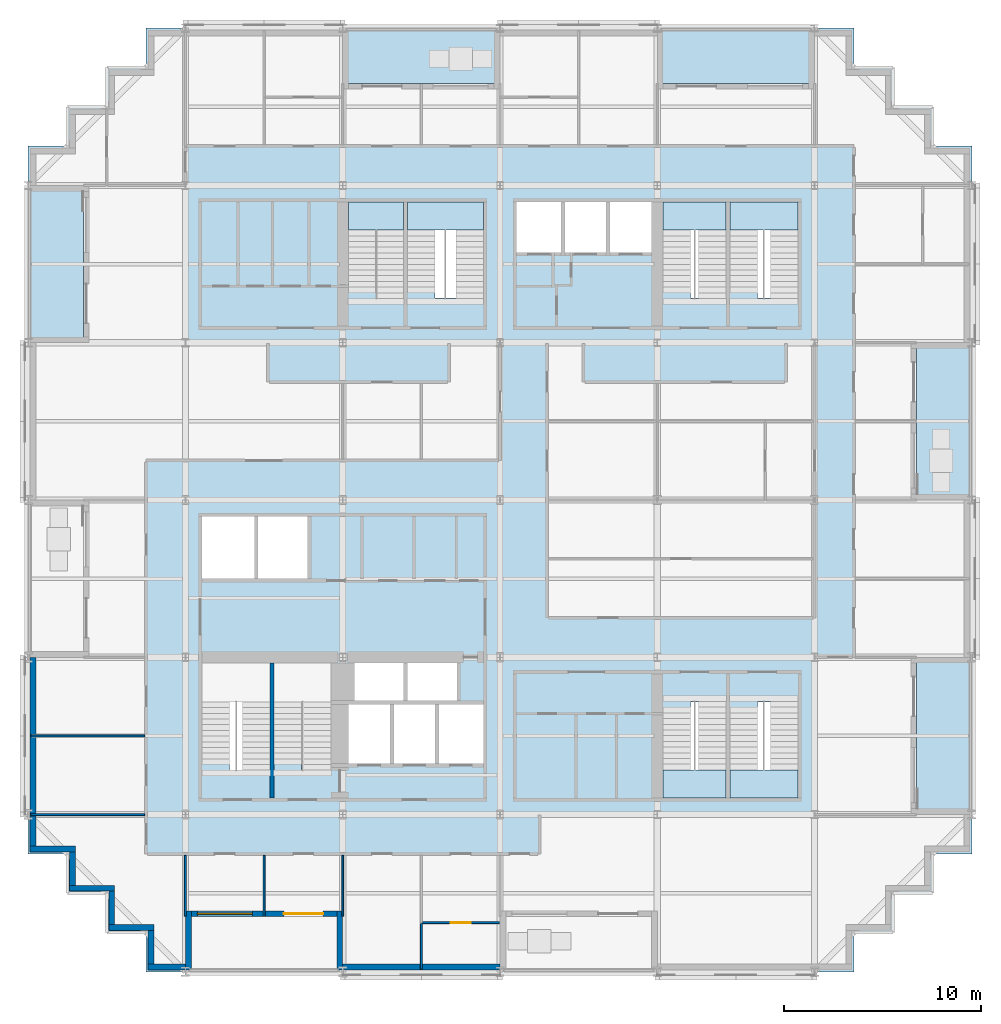
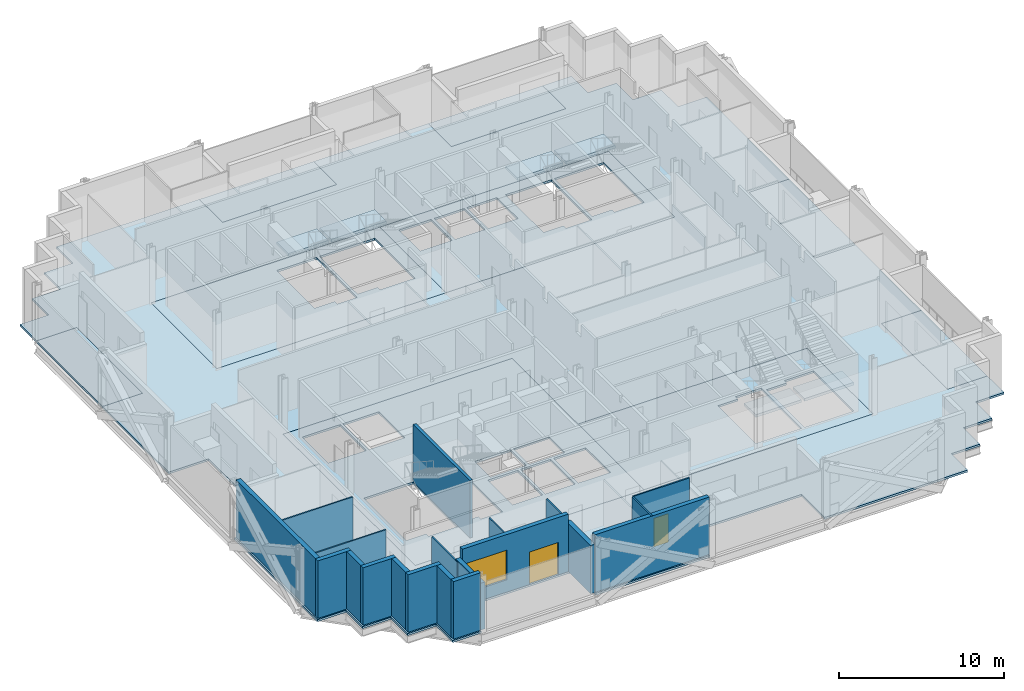
# One storey, part 4 of 15: 20 walls, 16 slabs, 2 doors, 1 window, 3 openings, 6 elements without a shape of their own.
"""IFC4 building model written with IfcOpenShell, lengths in metres."""

from ifc_helpers import new_model, si_unit, direction, frame, frame_2d, origin, place, context, subcontext, project, spatial, polyline, rectangle, outline, extrude, material, layer, layer_set, type_object, element, fill, aggregate, save


model = new_model("IFC4")

# Units and contexts
model_context = context("Model", 3, precision=1e-05, world=origin(), true_north=direction((0.0, 1.0)))
body_context = subcontext(model_context, "Body", "Model", "MODEL_VIEW")
ifc_project = project(units=[si_unit("LENGTHUNIT", "METRE"), si_unit("AREAUNIT", "SQUARE_METRE"), si_unit("VOLUMEUNIT", "CUBIC_METRE"), si_unit("PLANEANGLEUNIT", "RADIAN"), si_unit("MASSUNIT", "GRAM", prefix="KILO")], contexts=[model_context])

# Site, building, storey
site_placement = place(None, origin())
site = spatial("IfcSite", under=ifc_project, at=site_placement, CompositionType="ELEMENT")
building_placement = place(site_placement, origin())
building = spatial("IfcBuilding", under=site, at=building_placement, Name="Immortelle Media Tower", CompositionType="ELEMENT")
storey_placement = place(building_placement, frame((0.0, 0.0, 61.199951171875)))
storey = spatial("IfcBuildingStorey", under=building, at=storey_placement, Name="L10", CompositionType="ELEMENT", Elevation=61.199951171875)

# Slabs
ifc_material_1 = material(Name="Concrete C50/60 composite deck", Category="concrete")
ifc_layer_1 = layer(ifc_material_1, 0.14990234375)
ifc_layer_set_1 = layer_set([ifc_layer_1], Name="Concrete C50/60 composite deck")
slab_type_1 = type_object("IfcSlabType", Name="Balcony slab 150", PredefinedType="FLOOR", material=ifc_layer_set_1)
slab_1_placement = place(storey_placement, frame((0.0, 0.0, -0.14990234375)))
element("IfcSlab", 1, at=slab_1_placement, inside=storey, type_object=slab_type_1, Name="Balcony slab L10 W0", PredefinedType="FLOOR", context=body_context, shape_type="SweptSolid", body=[
    extrude(outline(polyline([(2.800048828125, 32.0), (2.800048828125, 40.0), (0.0, 40.0), (0.0, 32.0), (2.800048828125, 32.0)])), origin(), (0.0, 0.0, 1.0), 0.14990234375),
])
slab_2_placement = place(storey_placement, frame((0.0, 0.0, -0.14990234375)))
element("IfcSlab", 2, at=slab_2_placement, inside=storey, type_object=slab_type_1, Name="Balcony slab L10 E0", PredefinedType="FLOOR", context=body_context, shape_type="SweptSolid", body=[
    extrude(outline(polyline([(48.0, 8.0), (48.0, 16.0), (45.199951171875, 16.0), (45.199951171875, 8.0), (48.0, 8.0)])), origin(), (0.0, 0.0, 1.0), 0.14990234375),
])
slab_3_placement = place(storey_placement, frame((0.0, 0.0, -0.14990234375)))
element("IfcSlab", 3, at=slab_3_placement, inside=storey, type_object=slab_type_1, Name="Balcony slab L10 E2", PredefinedType="FLOOR", context=body_context, shape_type="SweptSolid", body=[
    extrude(outline(polyline([(48.0, 24.0), (48.0, 32.0), (45.199951171875, 32.0), (45.199951171875, 24.0), (48.0, 24.0)])), origin(), (0.0, 0.0, 1.0), 0.14990234375),
])
slab_4_placement = place(storey_placement, frame((0.0, 0.0, -0.14990234375)))
element("IfcSlab", 4, at=slab_4_placement, inside=storey, type_object=slab_type_1, Name="Balcony slab L10 N0", PredefinedType="FLOOR", context=body_context, shape_type="SweptSolid", body=[
    extrude(outline(polyline([(40.0, 45.199951171875), (40.0, 48.0), (32.0, 48.0), (32.0, 45.199951171875), (40.0, 45.199951171875)])), origin(), (0.0, 0.0, 1.0), 0.14990234375),
])
slab_5_placement = place(storey_placement, frame((0.0, 0.0, -0.14990234375)))
element("IfcSlab", 5, at=slab_5_placement, inside=storey, type_object=slab_type_1, Name="Balcony slab L10 N2", PredefinedType="FLOOR", context=body_context, shape_type="SweptSolid", body=[
    extrude(outline(polyline([(24.0, 45.199951171875), (24.0, 48.0), (16.0, 48.0), (16.0, 45.199951171875), (24.0, 45.199951171875)])), origin(), (0.0, 0.0, 1.0), 0.14990234375),
])
ifc_material_2 = material(Name="Concrete C50/60", Category="concrete")
ifc_layer_2 = layer(ifc_material_2, 0.14990234375)
ifc_layer_set_2 = layer_set([ifc_layer_2], Name="Concrete C50/60")
slab_type_2 = type_object("IfcSlabType", Name="Composite floor slab 150", PredefinedType="FLOOR", material=ifc_layer_set_2)
slab_6_placement = place(storey_placement, frame((0.0, 0.0, -0.14990234375)))
element("IfcSlab", 6, at=slab_6_placement, inside=storey, type_object=slab_type_2, Name="Floor slab L10", PredefinedType="FLOOR", context=body_context, shape_type="SweptSolid", body=[
    extrude(outline(polyline([(6.0, 0.0), (6.0, 2.0), (4.0, 2.0), (4.0, 4.0), (2.0, 4.0), (2.0, 6.0), (0.0, 6.0), (0.0, 16.0), (2.800048828125, 16.0), (2.800048828125, 24.0), (0.0, 24.0), (0.0, 32.0), (2.800048828125, 32.0), (2.800048828125, 40.0), (0.0, 40.0), (0.0, 42.0), (2.0, 42.0), (2.0, 44.0), (4.0, 44.0), (4.0, 46.0), (6.0, 46.0), (6.0, 48.0), (16.0, 48.0), (16.0, 45.199951171875), (24.0, 45.199951171875), (24.0, 48.0), (32.0, 48.0), (32.0, 45.199951171875), (40.0, 45.199951171875), (40.0, 48.0), (42.0, 48.0), (42.0, 46.0), (44.0, 46.0), (44.0, 44.0), (46.0, 44.0), (46.0, 42.0), (48.0, 42.0), (48.0, 32.0), (45.199951171875, 32.0), (45.199951171875, 24.0), (48.0, 24.0), (48.0, 16.0), (45.199951171875, 16.0), (45.199951171875, 8.0), (48.0, 8.0), (48.0, 6.0), (46.0, 6.0), (46.0, 4.0), (44.0, 4.0), (44.0, 2.0), (42.0, 2.0), (42.0, 0.0), (32.0, 0.0), (32.0, 2.800048828125), (24.0, 2.800048828125), (24.0, 0.0), (16.0, 0.0), (16.0, 2.800048828125), (8.0, 2.800048828125), (8.0, 0.0), (6.0, 0.0)]), holes=[polyline([(24.0, 24.0), (8.0, 24.0), (8.0, 8.0), (24.0, 8.0), (40.0, 8.0), (40.0, 16.0), (24.0, 16.0), (24.0, 24.0)]), polyline([(24.0, 32.0), (40.0, 32.0), (40.0, 40.0), (24.0, 40.0), (8.0, 40.0), (8.0, 32.0), (24.0, 32.0)])]), origin(), (0.0, 0.0, 1.0), 0.14990234375),
])
ifc_layer_3 = layer(ifc_material_2, 0.14990234375)
ifc_layer_set_3 = layer_set([ifc_layer_3], Name="Concrete C50/60")
slab_type_3 = type_object("IfcSlabType", Name="Core floor slab 150", PredefinedType="FLOOR", material=ifc_layer_set_3)
slab_7_placement = place(storey_placement, frame((0.0, 0.0, -0.14990234375)))
element("IfcSlab", 7, at=slab_7_placement, inside=storey, type_object=slab_type_3, Name="Core floor SW", PredefinedType="FLOOR", context=body_context, shape_type="SweptSolid", body=[
    extrude(outline(polyline([(8.0, 8.0), (24.0, 8.0), (24.0, 24.0), (8.0, 24.0), (8.0, 8.0)]), holes=[polyline([(8.85009765625, 20.0), (11.5, 20.0), (11.5, 23.14990234375), (8.85009765625, 23.14990234375), (8.85009765625, 20.0)]), polyline([(11.699951171875, 20.0), (14.199951171875, 20.0), (14.199951171875, 23.14990234375), (11.699951171875, 23.14990234375), (11.699951171875, 20.0)]), polyline([(16.60009765625, 13.800048828125), (19.10009765625, 13.800048828125), (19.10009765625, 15.699951171875), (16.60009765625, 15.699951171875), (16.60009765625, 13.800048828125)]), polyline([(19.300048828125, 13.800048828125), (21.800048828125, 13.800048828125), (21.800048828125, 15.699951171875), (19.300048828125, 15.699951171875), (19.300048828125, 13.800048828125)]), polyline([(16.300048828125, 10.60009765625), (18.39990234375, 10.60009765625), (18.39990234375, 13.60009765625), (16.300048828125, 13.60009765625), (16.300048828125, 10.60009765625)]), polyline([(18.60009765625, 10.60009765625), (20.699951171875, 10.60009765625), (20.699951171875, 13.60009765625), (18.60009765625, 13.60009765625), (18.60009765625, 10.60009765625)]), polyline([(20.89990234375, 10.60009765625), (23.14990234375, 10.60009765625), (23.14990234375, 13.60009765625), (20.89990234375, 13.60009765625), (20.89990234375, 10.60009765625)]), polyline([(8.85009765625, 15.699951171875), (12.300048828125, 15.699951171875), (12.300048828125, 10.27001953125), (10.25, 10.27001953125), (10.25, 10.56005859375), (8.85009765625, 10.56005859375), (8.85009765625, 15.699951171875)]), polyline([(12.5, 15.699951171875), (15.39990234375, 15.699951171875), (15.39990234375, 10.27001953125), (13.89990234375, 10.27001953125), (13.89990234375, 10.56005859375), (12.5, 10.56005859375), (12.5, 15.699951171875)])]), origin(), (0.0, 0.0, 1.0), 0.14990234375),
])
slab_8_placement = place(storey_placement, frame((0.0, 0.0, -0.14990234375)))
element("IfcSlab", 8, at=slab_8_placement, inside=storey, type_object=slab_type_3, Name="Core floor SE", PredefinedType="FLOOR", context=body_context, shape_type="SweptSolid", body=[
    extrude(outline(polyline([(24.0, 8.0), (40.0, 8.0), (40.0, 16.0), (24.0, 16.0), (24.0, 8.0)]), holes=[polyline([(35.5, 13.72998046875), (35.5, 8.85009765625), (32.300048828125, 8.85009765625), (32.300048828125, 13.43994140625), (33.699951171875, 13.43994140625), (33.699951171875, 13.72998046875), (35.5, 13.72998046875)]), polyline([(39.14990234375, 13.72998046875), (39.14990234375, 8.85009765625), (35.699951171875, 8.85009765625), (35.699951171875, 13.43994140625), (37.10009765625, 13.43994140625), (37.10009765625, 13.72998046875), (39.14990234375, 13.72998046875)])]), origin(), (0.0, 0.0, 1.0), 0.14990234375),
])
slab_9_placement = place(storey_placement, frame((0.0, 0.0, -0.14990234375)))
element("IfcSlab", 9, at=slab_9_placement, inside=storey, type_object=slab_type_3, Name="Core floor NW", PredefinedType="FLOOR", context=body_context, shape_type="SweptSolid", body=[
    extrude(outline(polyline([(8.0, 32.0), (24.0, 32.0), (24.0, 40.0), (8.0, 40.0), (8.0, 32.0)]), holes=[polyline([(16.300048828125, 39.14990234375), (19.10009765625, 39.14990234375), (19.10009765625, 34.27001953125), (17.699951171875, 34.27001953125), (17.699951171875, 34.56005859375), (16.300048828125, 34.56005859375), (16.300048828125, 39.14990234375)]), polyline([(19.300048828125, 39.14990234375), (23.14990234375, 39.14990234375), (23.14990234375, 34.27001953125), (20.699951171875, 34.27001953125), (20.699951171875, 34.56005859375), (19.300048828125, 34.56005859375), (19.300048828125, 39.14990234375)])]), origin(), (0.0, 0.0, 1.0), 0.14990234375),
])
slab_10_placement = place(storey_placement, frame((0.0, 0.0, -0.14990234375)))
element("IfcSlab", 10, at=slab_10_placement, inside=storey, type_object=slab_type_3, Name="Core floor NE", PredefinedType="FLOOR", context=body_context, shape_type="SweptSolid", body=[
    extrude(outline(polyline([(24.0, 32.0), (40.0, 32.0), (40.0, 40.0), (24.0, 40.0), (24.0, 32.0)]), holes=[polyline([(24.85009765625, 36.60009765625), (27.10009765625, 36.60009765625), (27.10009765625, 39.14990234375), (24.85009765625, 39.14990234375), (24.85009765625, 36.60009765625)]), polyline([(27.300048828125, 36.60009765625), (29.39990234375, 36.60009765625), (29.39990234375, 39.14990234375), (27.300048828125, 39.14990234375), (27.300048828125, 36.60009765625)]), polyline([(29.60009765625, 36.60009765625), (31.699951171875, 36.60009765625), (31.699951171875, 39.14990234375), (29.60009765625, 39.14990234375), (29.60009765625, 36.60009765625)]), polyline([(32.300048828125, 39.14990234375), (35.5, 39.14990234375), (35.5, 34.27001953125), (33.699951171875, 34.27001953125), (33.699951171875, 34.56005859375), (32.300048828125, 34.56005859375), (32.300048828125, 39.14990234375)]), polyline([(35.699951171875, 39.14990234375), (39.14990234375, 39.14990234375), (39.14990234375, 34.27001953125), (37.10009765625, 34.27001953125), (37.10009765625, 34.56005859375), (35.699951171875, 34.56005859375), (35.699951171875, 39.14990234375)])]), origin(), (0.0, 0.0, 1.0), 0.14990234375),
])

# Stair, slab
ifc_material_3 = material(Name="Steel ASTM A992 Gr 50", Category="steel")
stair_type = type_object("IfcStairType", Name="Stair with flights", PredefinedType="DOUBLE_RETURN_STAIR", material=ifc_material_3)
stair_1_placement = place(storey_placement, origin())
stair_1 = element("IfcStair", 11, at=stair_1_placement, inside=storey, type_object=stair_type, Name="Exit stair SE1", PredefinedType="DOUBLE_RETURN_STAIR")
ifc_material_4 = material(Name="Steel ASTM A572 Gr 50", Category="steel")
ifc_layer_4 = layer(ifc_material_4, 0.199951171875)
ifc_layer_set_4 = layer_set([ifc_layer_4], Name="Steel ASTM A572 Gr 50")
slab_type_4 = type_object("IfcSlabType", Name="Stair landing 200", PredefinedType="LANDING", material=ifc_layer_set_4)
slab_11_placement = place(storey_placement, frame((0.0, 0.0, 1.912109375)))
slab_11 = element("IfcSlab", 12, at=slab_11_placement, type_object=slab_type_4, Name="ST SE1 landing 1", PredefinedType="LANDING", context=body_context, shape_type="SweptSolid", body=[
    extrude(outline(polyline([(32.300048828125, 8.85009765625), (35.5, 8.85009765625), (35.5, 10.27001953125), (32.300048828125, 10.27001953125), (32.300048828125, 8.85009765625)])), origin(), (0.0, 0.0, 1.0), 0.199951171875),
])
aggregate(stair_1, [slab_11])

stair_2_placement = place(storey_placement, origin())
stair_2 = element("IfcStair", 13, at=stair_2_placement, inside=storey, type_object=stair_type, Name="Exit stair SE2", PredefinedType="DOUBLE_RETURN_STAIR")
slab_12_placement = place(storey_placement, frame((0.0, 0.0, 1.912109375)))
slab_12 = element("IfcSlab", 14, at=slab_12_placement, type_object=slab_type_4, Name="ST SE2 landing 1", PredefinedType="LANDING", context=body_context, shape_type="SweptSolid", body=[
    extrude(outline(polyline([(35.699951171875, 8.85009765625), (39.14990234375, 8.85009765625), (39.14990234375, 10.27001953125), (35.699951171875, 10.27001953125), (35.699951171875, 8.85009765625)])), origin(), (0.0, 0.0, 1.0), 0.199951171875),
])
aggregate(stair_2, [slab_12])

stair_3_placement = place(storey_placement, origin())
stair_3 = element("IfcStair", 15, at=stair_3_placement, inside=storey, type_object=stair_type, Name="Exit stair NW1", PredefinedType="DOUBLE_RETURN_STAIR")
slab_13_placement = place(storey_placement, frame((0.0, 0.0, 1.912109375)))
slab_13 = element("IfcSlab", 16, at=slab_13_placement, type_object=slab_type_4, Name="ST NW1 landing 1", PredefinedType="LANDING", context=body_context, shape_type="SweptSolid", body=[
    extrude(outline(polyline([(16.300048828125, 37.72998046875), (19.10009765625, 37.72998046875), (19.10009765625, 39.14990234375), (16.300048828125, 39.14990234375), (16.300048828125, 37.72998046875)])), origin(), (0.0, 0.0, 1.0), 0.199951171875),
])
aggregate(stair_3, [slab_13])

stair_4_placement = place(storey_placement, origin())
stair_4 = element("IfcStair", 17, at=stair_4_placement, inside=storey, type_object=stair_type, Name="Exit stair NW2", PredefinedType="DOUBLE_RETURN_STAIR")
slab_14_placement = place(storey_placement, frame((0.0, 0.0, 1.912109375)))
slab_14 = element("IfcSlab", 18, at=slab_14_placement, type_object=slab_type_4, Name="ST NW2 landing 1", PredefinedType="LANDING", context=body_context, shape_type="SweptSolid", body=[
    extrude(outline(polyline([(19.300048828125, 37.72998046875), (23.14990234375, 37.72998046875), (23.14990234375, 39.14990234375), (19.300048828125, 39.14990234375), (19.300048828125, 37.72998046875)])), origin(), (0.0, 0.0, 1.0), 0.199951171875),
])
aggregate(stair_4, [slab_14])

stair_5_placement = place(storey_placement, origin())
stair_5 = element("IfcStair", 19, at=stair_5_placement, inside=storey, type_object=stair_type, Name="Exit stair NE1", PredefinedType="DOUBLE_RETURN_STAIR")
slab_15_placement = place(storey_placement, frame((0.0, 0.0, 1.912109375)))
slab_15 = element("IfcSlab", 20, at=slab_15_placement, type_object=slab_type_4, Name="ST NE1 landing 1", PredefinedType="LANDING", context=body_context, shape_type="SweptSolid", body=[
    extrude(outline(polyline([(32.300048828125, 37.72998046875), (35.5, 37.72998046875), (35.5, 39.14990234375), (32.300048828125, 39.14990234375), (32.300048828125, 37.72998046875)])), origin(), (0.0, 0.0, 1.0), 0.199951171875),
])
aggregate(stair_5, [slab_15])

stair_6_placement = place(storey_placement, origin())
stair_6 = element("IfcStair", 21, at=stair_6_placement, inside=storey, type_object=stair_type, Name="Exit stair NE2", PredefinedType="DOUBLE_RETURN_STAIR")
slab_16_placement = place(storey_placement, frame((0.0, 0.0, 1.912109375)))
slab_16 = element("IfcSlab", 22, at=slab_16_placement, type_object=slab_type_4, Name="ST NE2 landing 1", PredefinedType="LANDING", context=body_context, shape_type="SweptSolid", body=[
    extrude(outline(polyline([(35.699951171875, 37.72998046875), (39.14990234375, 37.72998046875), (39.14990234375, 39.14990234375), (35.699951171875, 39.14990234375), (35.699951171875, 37.72998046875)])), origin(), (0.0, 0.0, 1.0), 0.199951171875),
])
aggregate(stair_6, [slab_16])

# Walls
ifc_material_5 = material(Name="Pale aluminium cladding panel", Category="aluminium")
ifc_layer_5 = layer(ifc_material_5, 0.030029296875)
ifc_material_6 = material(Name="Steel ASTM A653 SS Gr 50 stud frame with mineral wool", Category="steel")
ifc_layer_6 = layer(ifc_material_6, 0.257568359375)
ifc_material_7 = material(Name="Moisture-resistant gypsum board", Category="gypsum")
ifc_layer_7 = layer(ifc_material_7, 0.012451171875)
ifc_layer_set_5 = layer_set([ifc_layer_5, ifc_layer_6, ifc_layer_7], Name="Steel ASTM A653 SS Gr 50 stud frame with mineral wool")
wall_type_1 = type_object("IfcWallType", Name="Facade wall 300", PredefinedType="SOLIDWALL", material=ifc_layer_set_5)
wall_1_placement = place(storey_placement, frame((0.25, 16.0, 0.0), z_axis=(0.0, 0.0, 1.0), x_axis=(0.0, -1.0, 0.0)))
element("IfcWall", 23, at=wall_1_placement, inside=storey, type_object=wall_type_1, Name="Facade wall L10 W0", PredefinedType="SOLIDWALL", context=body_context, shape_type="SweptSolid", body=[
    extrude(rectangle(XDim=9.60009765625, YDim=0.300048828125, at=frame_2d((4.800048828125, 0.0))), origin(), (0.0, 0.0, 1.0), 4.25),
])
wall_2_placement = place(storey_placement, frame((0.10009765625, 6.25, 0.0), z_axis=(0.0, 0.0, 1.0), x_axis=(1.0, 0.0, 0.0)))
element("IfcWall", 24, at=wall_2_placement, inside=storey, type_object=wall_type_1, Name="Facade wall L10 S1", PredefinedType="SOLIDWALL", context=body_context, shape_type="SweptSolid", body=[
    extrude(rectangle(XDim=2.2998046875, YDim=0.300048828125, at=frame_2d((1.14990234375, 0.0))), origin(), (0.0, 0.0, 1.0), 4.25),
])
wall_3_placement = place(storey_placement, frame((2.25, 6.10009765625, 0.0), z_axis=(0.0, 0.0, 1.0), x_axis=(0.0, -1.0, 0.0)))
element("IfcWall", 25, at=wall_3_placement, inside=storey, type_object=wall_type_1, Name="Facade wall L10 W2", PredefinedType="SOLIDWALL", context=body_context, shape_type="SweptSolid", body=[
    extrude(rectangle(XDim=1.7001953125, YDim=0.300048828125, at=frame_2d((0.85009765625, 0.0))), origin(), (0.0, 0.0, 1.0), 4.25),
])
wall_4_placement = place(storey_placement, frame((2.10009765625, 4.25, 0.0), z_axis=(0.0, 0.0, 1.0), x_axis=(1.0, 0.0, 0.0)))
element("IfcWall", 26, at=wall_4_placement, inside=storey, type_object=wall_type_1, Name="Facade wall L10 S3", PredefinedType="SOLIDWALL", context=body_context, shape_type="SweptSolid", body=[
    extrude(rectangle(XDim=2.2998046875, YDim=0.300048828125, at=frame_2d((1.14990234375, 0.0))), origin(), (0.0, 0.0, 1.0), 4.25),
])
wall_5_placement = place(storey_placement, frame((4.25, 4.10009765625, 0.0), z_axis=(0.0, 0.0, 1.0), x_axis=(0.0, -1.0, 0.0)))
element("IfcWall", 27, at=wall_5_placement, inside=storey, type_object=wall_type_1, Name="Facade wall L10 W4", PredefinedType="SOLIDWALL", context=body_context, shape_type="SweptSolid", body=[
    extrude(rectangle(XDim=1.7001953125, YDim=0.300048828125, at=frame_2d((0.85009765625, 0.0))), origin(), (0.0, 0.0, 1.0), 4.25),
])
wall_6_placement = place(storey_placement, frame((4.10009765625, 2.25, 0.0), z_axis=(0.0, 0.0, 1.0), x_axis=(1.0, 0.0, 0.0)))
element("IfcWall", 28, at=wall_6_placement, inside=storey, type_object=wall_type_1, Name="Facade wall L10 S5", PredefinedType="SOLIDWALL", context=body_context, shape_type="SweptSolid", body=[
    extrude(rectangle(XDim=2.2998046875, YDim=0.300048828125, at=frame_2d((1.14990234375, 0.0))), origin(), (0.0, 0.0, 1.0), 4.25),
])
wall_7_placement = place(storey_placement, frame((6.25, 2.10009765625, 0.0), z_axis=(0.0, 0.0, 1.0), x_axis=(0.0, -1.0, 0.0)))
element("IfcWall", 29, at=wall_7_placement, inside=storey, type_object=wall_type_1, Name="Facade wall L10 W6", PredefinedType="SOLIDWALL", context=body_context, shape_type="SweptSolid", body=[
    extrude(rectangle(XDim=1.7001953125, YDim=0.300048828125, at=frame_2d((0.85009765625, 0.0))), origin(), (0.0, 0.0, 1.0), 4.25),
])
wall_8_placement = place(storey_placement, frame((6.10009765625, 0.25, 0.0), z_axis=(0.0, 0.0, 1.0), x_axis=(1.0, 0.0, 0.0)))
element("IfcWall", 30, at=wall_8_placement, inside=storey, type_object=wall_type_1, Name="Facade wall L10 S7", PredefinedType="SOLIDWALL", context=body_context, shape_type="SweptSolid", body=[
    extrude(rectangle(XDim=1.89990234375, YDim=0.300048828125, at=frame_2d((0.949951171875, 0.0))), origin(), (0.0, 0.0, 1.0), 4.25),
])

# Wall, openings, door, window
wall_9_placement = place(storey_placement, frame((8.300048828125, 2.949951171875, 0.0), z_axis=(0.0, 0.0, 1.0), x_axis=(1.0, 0.0, 0.0)))
wall_9 = element("IfcWall", 31, at=wall_9_placement, inside=storey, type_object=wall_type_1, Name="Loggia wall L10 S7", PredefinedType="SOLIDWALL", context=body_context, shape_type="SweptSolid", body=[
    extrude(rectangle(XDim=7.39990234375, YDim=0.300048828125, at=frame_2d((3.699951171875, 0.0))), origin(), (0.0, 0.0, 1.0), 4.25),
])
opening_1_placement = place(wall_9_placement, frame((0.300048828125, 0.0, 0.89990234375)))
opening_1 = element("IfcOpeningElement", 32, at=opening_1_placement, cuts=wall_9, Name="Opening W1", PredefinedType="OPENING", context=body_context, shape_type="SweptSolid", body=[
    extrude(rectangle(XDim=2.800048828125, YDim=2.199951171875, at=frame_2d((1.39990234375, 1.10009765625))), frame((0.0, 0.159912109375, 0.0), z_axis=(0.0, -1.0, 0.0), x_axis=(1.0, 0.0, 0.0)), (0.0, 0.0, 1.0), 0.320068359375),
])
opening_2_placement = place(wall_9_placement, frame((4.699951171875, 0.0, 0.0)))
opening_2 = element("IfcOpeningElement", 33, at=opening_2_placement, cuts=wall_9, Name="Opening N3-E003", PredefinedType="OPENING", context=body_context, shape_type="SweptSolid", body=[
    extrude(rectangle(XDim=2.0, YDim=2.39990234375, at=frame_2d((1.0, 1.199951171875))), frame((0.0, 0.159912109375, 0.0), z_axis=(0.0, -1.0, 0.0), x_axis=(1.0, 0.0, 0.0)), (0.0, 0.0, 1.0), 0.320068359375),
])
ifc_material_8 = material(Name="Aluminium frame, glazed leaves", Category="aluminium")
door_type_1 = type_object("IfcDoorType", Name="Loggia door 2000 x 2400", OperationType="DOUBLE_DOOR_SINGLE_SWING", PredefinedType="DOOR", material=ifc_material_8)
door_1_placement = place(opening_2_placement, origin())
door_1 = element("IfcDoor", 34, at=door_1_placement, inside=storey, type_object=door_type_1, Name="Door N3-E003", OperationType="DOUBLE_DOOR_SINGLE_SWING", OverallHeight=2.39990234375, OverallWidth=2.0, PredefinedType="DOOR", context=body_context, shape_type="SweptSolid", body=[
    extrude(rectangle(XDim=2.0, YDim=2.39990234375, at=frame_2d((1.0, 1.199951171875))), frame((0.0, 0.02490234375, 0.0), z_axis=(0.0, -1.0, 0.0), x_axis=(1.0, 0.0, 0.0)), (0.0, 0.0, 1.0), 0.050048828125),
])
fill(opening_2, door_1)
ifc_material_9 = material(Name="Aluminium frame", Category="aluminium")
window_type = type_object("IfcWindowType", Name="Window 2800 x 2200", PartitioningType="SINGLE_PANEL", PredefinedType="WINDOW", material=ifc_material_9)
window_placement = place(opening_1_placement, origin())
window = element("IfcWindow", 35, at=window_placement, inside=storey, type_object=window_type, Name="Window L10 L10-R7-B0", OverallHeight=2.199951171875, OverallWidth=2.800048828125, PartitioningType="SINGLE_PANEL", PredefinedType="WINDOW", context=body_context, shape_type="SweptSolid", body=[
    extrude(rectangle(XDim=2.800048828125, YDim=2.199951171875, at=frame_2d((1.39990234375, 1.10009765625))), frame((0.0, 0.030029296875, 0.0), z_axis=(0.0, -1.0, 0.0), x_axis=(1.0, 0.0, 0.0)), (0.0, 0.0, 1.0), 0.06005859375),
])
fill(opening_1, window)

# Walls
wall_10_placement = place(storey_placement, frame((8.14990234375, 0.10009765625, 0.0), z_axis=(0.0, 0.0, 1.0), x_axis=(0.0, 1.0, 0.0)))
element("IfcWall", 36, at=wall_10_placement, inside=storey, type_object=wall_type_1, Name="Loggia cheek wall L10 S", PredefinedType="SOLIDWALL", context=body_context, shape_type="SweptSolid", body=[
    extrude(rectangle(XDim=3.0, YDim=0.300048828125, at=frame_2d((1.5, 0.0))), origin(), (0.0, 0.0, 1.0), 3.468994140625),
])
wall_11_placement = place(storey_placement, frame((15.85009765625, 0.10009765625, 0.0), z_axis=(0.0, 0.0, 1.0), x_axis=(0.0, 1.0, 0.0)))
element("IfcWall", 37, at=wall_11_placement, inside=storey, type_object=wall_type_1, Name="Loggia cheek wall L10 S", PredefinedType="SOLIDWALL", context=body_context, shape_type="SweptSolid", body=[
    extrude(rectangle(XDim=3.0, YDim=0.300048828125, at=frame_2d((1.5, 0.0))), origin(), (0.0, 0.0, 1.0), 3.55615234375),
])
wall_12_placement = place(storey_placement, frame((16.0, 0.25, 0.0), z_axis=(0.0, 0.0, 1.0), x_axis=(1.0, 0.0, 0.0)))
element("IfcWall", 38, at=wall_12_placement, inside=storey, type_object=wall_type_1, Name="Facade wall L10 S7", PredefinedType="SOLIDWALL", context=body_context, shape_type="SweptSolid", body=[
    extrude(rectangle(XDim=8.0, YDim=0.300048828125, at=frame_2d((4.0, 0.0))), origin(), (0.0, 0.0, 1.0), 4.25),
])
ifc_material_10 = material(Name="Gypsum board", Category="gypsum")
ifc_layer_8 = layer(ifc_material_10, 0.012451171875)
ifc_layer_9 = layer(ifc_material_6, 0.074951171875)
ifc_layer_10 = layer(ifc_material_10, 0.012451171875)
ifc_layer_set_6 = layer_set([ifc_layer_8, ifc_layer_9, ifc_layer_10], Name="Steel ASTM A653 SS Gr 50 stud frame with mineral wool")
wall_type_2 = type_object("IfcWallType", Name="Partition 100", PredefinedType="PARTITIONING", material=ifc_layer_set_6)
wall_13_placement = place(storey_placement, frame((20.0, 0.1298828125, 0.0), z_axis=(0.0, 0.0, 1.0), x_axis=(0.0, 1.0, 0.0)))
element("IfcWall", 39, at=wall_13_placement, inside=storey, type_object=wall_type_2, Name="Partition L10-001", PredefinedType="PARTITIONING", context=body_context, shape_type="SweptSolid", body=[
    extrude(rectangle(XDim=2.320068359375, YDim=0.10009765625, at=frame_2d((1.16015625, 0.0))), origin(), (0.0, 0.0, 1.0), 4.25),
])

# Wall, opening, door
wall_14_placement = place(storey_placement, frame((20.050048828125, 2.5, 0.0), z_axis=(0.0, 0.0, 1.0), x_axis=(1.0, 0.0, 0.0)))
wall_14 = element("IfcWall", 40, at=wall_14_placement, inside=storey, type_object=wall_type_2, Name="Partition L10-002", PredefinedType="PARTITIONING", context=body_context, shape_type="SweptSolid", body=[
    extrude(rectangle(XDim=3.919921875, YDim=0.10009765625, at=frame_2d((1.9599609375, 0.0))), origin(), (0.0, 0.0, 1.0), 4.25),
])
opening_3_placement = place(wall_14_placement, frame((1.449951171875, 0.0, 0.0)))
opening_3 = element("IfcOpeningElement", 41, at=opening_3_placement, cuts=wall_14, Name="Opening N3-F003", PredefinedType="OPENING", context=body_context, shape_type="SweptSolid", body=[
    extrude(rectangle(XDim=1.0, YDim=2.10009765625, at=frame_2d((0.5, 1.050048828125))), frame((0.0, 0.06005859375, 0.0), z_axis=(0.0, -1.0, 0.0), x_axis=(1.0, 0.0, 0.0)), (0.0, 0.0, 1.0), 0.1201171875),
])
ifc_material_11 = material(Name="Timber veneered door leaf, galvanised steel frame ASTM A653", Category="steel")
door_type_2 = type_object("IfcDoorType", Name="Room door 1000 x 2100", OperationType="NOTDEFINED", PredefinedType="DOOR", material=ifc_material_11)
door_2_placement = place(opening_3_placement, origin())
door_2 = element("IfcDoor", 42, at=door_2_placement, inside=storey, type_object=door_type_2, Name="Door N3-F003", OperationType="SINGLE_SWING_RIGHT", OverallHeight=2.10009765625, OverallWidth=1.0, PredefinedType="DOOR", context=body_context, shape_type="SweptSolid", body=[
    extrude(rectangle(XDim=1.0, YDim=2.10009765625, at=frame_2d((0.5, 1.050048828125))), frame((0.0, 0.02490234375, 0.0), z_axis=(0.0, -1.0, 0.0), x_axis=(1.0, 0.0, 0.0)), (0.0, 0.0, 1.0), 0.050048828125),
])
fill(opening_3, door_2)

# Walls
for number, where, z_axis, x_axis, name in (
    (43, (8.0, 2.830078125, 0.0), (0.0, 0.0, 1.0), (0.0, 1.0, 0.0), "Partition L10-004"),
    (44, (12.0, 2.830078125, 0.0), (0.0, 0.0, 1.0), (0.0, 1.0, 0.0), "Partition L10-005"),
    (45, (16.0, 2.830078125, 0.0), (0.0, 0.0, 1.0), (0.0, 1.0, 0.0), "Partition L10-006"),
):
    element("IfcWall", number, at=place(storey_placement, frame(where, z_axis=z_axis, x_axis=x_axis)), inside=storey, type_object=wall_type_2, Name=name, PredefinedType="PARTITIONING", context=body_context, shape_type="SweptSolid", body=[
        extrude(rectangle(XDim=3.094970703125, YDim=0.10009765625, at=frame_2d((1.54736328125, 0.0))), origin(), (0.0, 0.0, 1.0), 3.39111328125),
    ])
for number, where, z_axis, x_axis, name in (
    (46, (0.1298828125, 8.0, 0.0), (0.0, 0.0, 1.0), (1.0, 0.0, 0.0), "Partition L10-011"),
    (47, (0.1298828125, 12.0, 0.0), (0.0, 0.0, 1.0), (1.0, 0.0, 0.0), "Partition L10-013"),
):
    element("IfcWall", number, at=place(storey_placement, frame(where, z_axis=z_axis, x_axis=x_axis)), inside=storey, type_object=wall_type_2, Name=name, PredefinedType="PARTITIONING", context=body_context, shape_type="SweptSolid", body=[
        extrude(rectangle(XDim=5.795166015625, YDim=0.10009765625, at=frame_2d((2.8974609375, 0.0))), origin(), (0.0, 0.0, 1.0), 3.39111328125),
    ])
ifc_material_12 = material(Name="Concrete C60", Category="concrete")
ifc_layer_11 = layer(ifc_material_12, 0.199951171875)
ifc_layer_set_7 = layer_set([ifc_layer_11], Name="Concrete C60")
wall_type_3 = type_object("IfcWallType", Name="Stair shaft wall 200", PredefinedType="PARTITIONING", material=ifc_layer_set_7)
wall_15_placement = place(storey_placement, frame((12.39990234375, 8.85009765625, 0.0), z_axis=(0.0, 0.0, 1.0), x_axis=(0.0, 1.0, 0.0)))
element("IfcWall", 48, at=wall_15_placement, inside=storey, type_object=wall_type_3, Name="Stair shaft wall SW", PredefinedType="PARTITIONING", context=body_context, shape_type="SweptSolid", body=[
    extrude(rectangle(XDim=6.849853515625, YDim=0.199951171875, at=frame_2d((3.4248046875, 0.0))), origin(), (0.0, 0.0, 1.0), 4.25),
])

save(model, "model.ifc")
